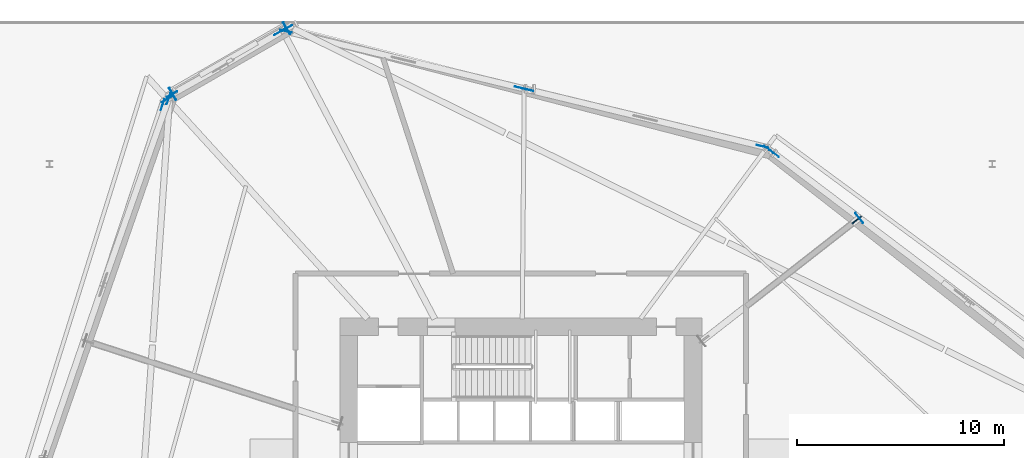
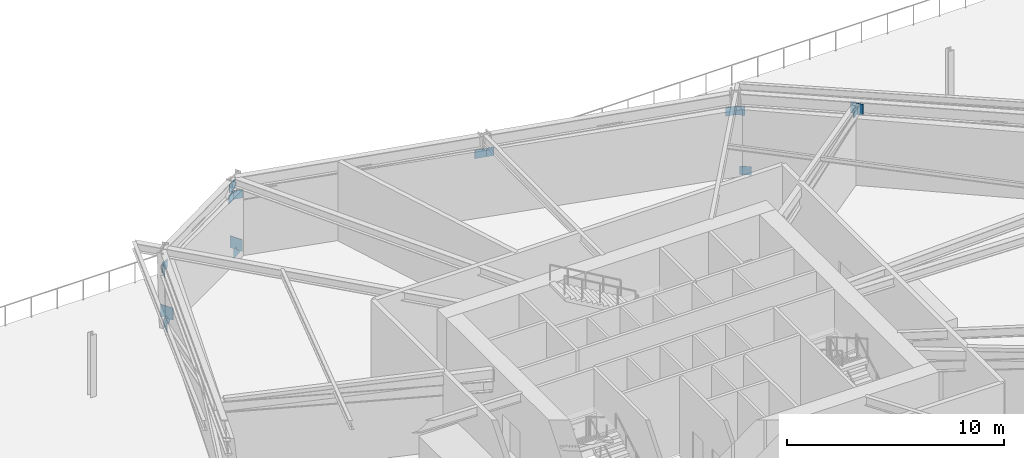
# One storey, part 12 of 20: 18 plates.
"""IFC4 building model written with IfcOpenShell, lengths in metres."""

from ifc_helpers import new_model, si_unit, direction, frame, origin, origin_2d, place, context, subcontext, project, spatial, rectangle, extrude, source, transform, mapped, material, type_object, element, save


model = new_model("IFC4")

# Units and contexts
model_context = context("Model", 3, precision=1e-05, world=origin(), true_north=direction((0.0, 1.0)))
body_context = subcontext(model_context, "Body", "Model", "MODEL_VIEW")
ifc_project = project(units=[si_unit("LENGTHUNIT", "METRE"), si_unit("AREAUNIT", "SQUARE_METRE"), si_unit("VOLUMEUNIT", "CUBIC_METRE"), si_unit("PLANEANGLEUNIT", "RADIAN"), si_unit("MASSUNIT", "GRAM", prefix="KILO")], contexts=[model_context])

# Site, building, storey
site_placement = place(None, origin())
site = spatial("IfcSite", under=ifc_project, at=site_placement, CompositionType="ELEMENT")
building_placement = place(site_placement, origin())
building = spatial("IfcBuilding", under=site, at=building_placement, Name="Olszyna Solenne Hotel", CompositionType="ELEMENT")
storey_placement = place(building_placement, frame((0.0, 0.0, 24.60009765625)))
storey = spatial("IfcBuildingStorey", under=building, at=storey_placement, Name="L05", CompositionType="ELEMENT", Elevation=24.60009765625)

# Plates
ifc_material_1 = material(Name="Steel S460M", Category="steel")
plate_type_1 = type_object("IfcPlateType", Name="GP-CAP2", PredefinedType="USERDEFINED", material=ifc_material_1)
shared_shape_1 = source(origin(), body_context, "Body", "SweptSolid", [
    extrude(rectangle(XDim=0.030029296875, YDim=0.6201171875, at=origin_2d()), origin(), (0.0, 0.0, 1.0), 0.6201171875),
])
plate_1_placement = place(storey_placement, frame((54.366943359375, 39.38720703125, 3.68994140625), z_axis=(0.0, 0.0, 1.0), x_axis=(0.788010753607, 0.615661475326, 0.0)))
element("IfcPlate", 1, at=plate_1_placement, inside=storey, type_object=plate_type_1, Name="Hollow section end-cap plate GP-CAP2 CP-OC-OC-L05-02-2", ObjectType="GUSSET_PLATE", PredefinedType="USERDEFINED", context=body_context, shape_type="MappedRepresentation", body=[
    mapped(shared_shape_1, transform((0.0, 0.0, 0.0), x_axis=(1.0, 0.0, 0.0), y_axis=(0.0, 1.0, 0.0), z_axis=(0.0, 0.0, 1.0), scale=1.0)),
])
ifc_material_2 = material(Name="Steel S355J2", Category="steel")
plate_type_2 = type_object("IfcPlateType", Name="GP-ND2", PredefinedType="USERDEFINED", material=ifc_material_2)
shared_shape_2 = source(origin(), body_context, "Body", "SweptSolid", [
    extrude(rectangle(XDim=0.56005859375, YDim=0.02001953125, at=origin_2d()), origin(), (0.0, 0.0, 1.0), 0.47998046875),
])
for number, where, z_axis, x_axis, name in (
    (2, (21.1162109375, 45.368408203125, -0.154296875), (0.0, 0.0, 1.0), (0.865501330253, 0.500906625361, 0.0), "Brace end connection gusset plate GP-ND2 EP-BR-L05-2-1"),
    (3, (26.3623046875, 48.404296875, 3.7490234375), (0.0, 0.0, 1.0), (0.865501330253, 0.500906625361, 0.0), "Brace end connection gusset plate GP-ND2 EP-BR-L05-2-2"),
    (4, (49.998291015625, 42.69677734375, 3.159912109375), (0.0, 0.0, 1.0), (-0.797689196331, 0.603068773902, 0.0), "Brace end connection gusset plate GP-ND2 EP-CH-L05-02-2"),
    (5, (50.24658203125, 42.511474609375, -0.18115234375), (0.0, 0.0, 1.0), (0.797583928825, -0.603207987745, 0.0), "Brace end connection gusset plate GP-ND2 EP-BT-L05-02-2-1"),
    (6, (49.6796875, 42.84765625, 3.159912109375), (0.0, 0.0, 1.0), (-0.971961000579, 0.235142113103, 0.0), "Brace end connection gusset plate GP-ND2 EP-CH-L05-03-1"),
    (7, (38.334228515625, 45.592041015625, 3.159912109375), (0.0, 0.0, 1.0), (-0.971961000579, 0.235142113103, 0.0), "Brace end connection gusset plate GP-ND2 EP-CH-L05-03-2"),
    (8, (37.984375, 45.676513671875, 3.159912109375), (0.0, 0.0, 1.0), (-0.971961000579, 0.235142113103, 0.0), "Brace end connection gusset plate GP-ND2 EP-CH-L05-04-1"),
    (9, (26.63916015625, 48.4208984375, 3.159912109375), (0.0, 0.0, 1.0), (-0.971961000579, 0.235142113103, 0.0), "Brace end connection gusset plate GP-ND2 EP-CH-L05-04-2"),
    (10, (26.309326171875, 48.37109375, 3.159912109375), (0.0, 0.0, 1.0), (-0.858959896931, -0.512042864871, 0.0), "Brace end connection gusset plate GP-ND2 EP-CH-L05-05-1"),
    (11, (20.877197265625, 45.132568359375, 3.159912109375), (0.0, 0.0, 1.0), (-0.858959896931, -0.512042864871, 0.0), "Brace end connection gusset plate GP-ND2 EP-CH-L05-05-2"),
    (12, (26.685302734375, 48.569580078125, -0.12548828125), (0.0, 0.0, 1.0), (-0.862071743077, -0.506786256511, 0.0), "Brace end connection gusset plate GP-ND2 EP-BT-L05-05-1-1"),
    (13, (21.12890625, 45.373779296875, -0.114013671875), (0.0, 0.0, 1.0), (0.872836916401, 0.488012005351, 0.0), "Brace end connection gusset plate GP-ND2 EP-BT-L05-05-2-1"),
    (14, (20.666259765625, 44.869384765625, 3.159912109375), (0.0, 0.0, 1.0), (-0.31332955548, -0.949644454342, 0.0), "Brace end connection gusset plate GP-ND2 EP-CH-L05-06-1"),
    (15, (20.95751953125, 45.14697265625, -0.173828125), (0.0, 0.0, 1.0), (-0.332161131884, -0.943222657948, 0.0), "Brace end connection gusset plate GP-ND2 EP-BT-L05-06-1-1"),
):
    element("IfcPlate", number, at=place(storey_placement, frame(where, z_axis=z_axis, x_axis=x_axis)), inside=storey, type_object=plate_type_2, Name=name, ObjectType="GUSSET_PLATE", PredefinedType="USERDEFINED", context=body_context, shape_type="MappedRepresentation", body=[
        mapped(shared_shape_2, transform((0.0, 0.0, 0.0), x_axis=(1.0, 0.0, 0.0), y_axis=(0.0, 1.0, 0.0), z_axis=(0.0, 0.0, 1.0), scale=1.0)),
    ])
plate_type_3 = type_object("IfcPlateType", Name="GP-ND1", PredefinedType="USERDEFINED", material=ifc_material_1)
shared_shape_3 = source(origin(), body_context, "Body", "SweptSolid", [
    extrude(rectangle(XDim=0.56005859375, YDim=0.06005859375, at=origin_2d()), origin(), (0.0, 0.0, 1.0), 0.47998046875),
])
plate_2_placement = place(storey_placement, frame((54.2451171875, 39.2919921875, 3.749755859375), z_axis=(0.0, 0.0, 1.0), x_axis=(0.788010753607, 0.615661475326, 0.0)))
element("IfcPlate", 16, at=plate_2_placement, inside=storey, type_object=plate_type_3, Name="Brace end connection gusset plate GP-ND1 EP-OU-L05-02-2", ObjectType="GUSSET_PLATE", PredefinedType="USERDEFINED", context=body_context, shape_type="MappedRepresentation", body=[
    mapped(shared_shape_3, transform((0.0, 0.0, 0.0), x_axis=(1.0, 0.0, 0.0), y_axis=(0.0, 1.0, 0.0), z_axis=(0.0, 0.0, 1.0), scale=1.0)),
])
plate_type_4 = type_object("IfcPlateType", Name="GP-CAP1", PredefinedType="USERDEFINED", material=ifc_material_1)
shared_shape_4 = source(origin(), body_context, "Body", "SweptSolid", [
    extrude(rectangle(XDim=0.0400390625, YDim=0.659912109375, at=origin_2d()), origin(), (0.0, 0.0, 1.0), 0.659912109375),
])
for number, where, z_axis, x_axis, name in (
    (17, (26.670166015625, 48.56201171875, 0.2197265625), (0.0, 0.0, 1.0), (-0.866896748936, -0.498487739754, 0.0), "Hollow section end-cap plate GP-CAP1 CP-CTB-CTB-L05-2-1"),
    (18, (21.153076171875, 45.38916015625, 0.2197265625), (0.0, 0.0, 1.0), (-0.866896748936, -0.498487739754, 0.0), "Hollow section end-cap plate GP-CAP1 CP-CTB-CTB-L05-2-2"),
):
    element("IfcPlate", number, at=place(storey_placement, frame(where, z_axis=z_axis, x_axis=x_axis)), inside=storey, type_object=plate_type_4, Name=name, ObjectType="GUSSET_PLATE", PredefinedType="USERDEFINED", context=body_context, shape_type="MappedRepresentation", body=[
        mapped(shared_shape_4, transform((0.0, 0.0, 0.0), x_axis=(1.0, 0.0, 0.0), y_axis=(0.0, 1.0, 0.0), z_axis=(0.0, 0.0, 1.0), scale=1.0)),
    ])

save(model, "model.ifc")
